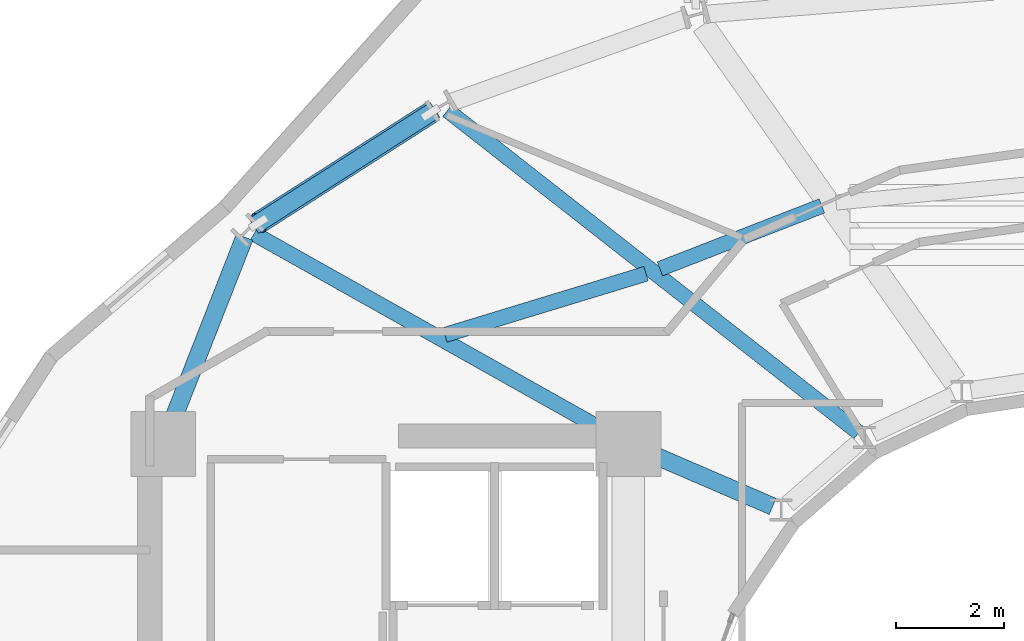
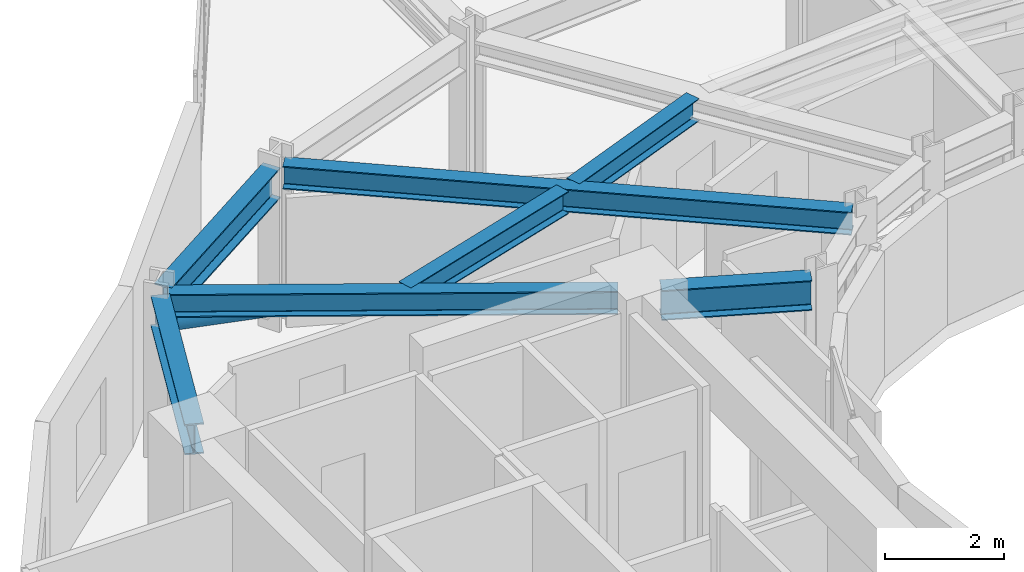
# One storey, part 8 of 24: 7 beams, 1 member.
"""IFC4 building model written with IfcOpenShell, lengths in metres."""

from ifc_helpers import new_model, si_unit, direction, frame, origin, origin_2d, place, context, subcontext, project, spatial, hollow_circle, i_section, extrude, material, material_profile, profile_set, type_object, element, save


model = new_model("IFC4")

# Units and contexts
model_context = context("Model", 3, precision=1e-05, world=origin(), true_north=direction((0.0, 1.0)))
body_context = subcontext(model_context, "Body", "Model", "MODEL_VIEW")
ifc_project = project(units=[si_unit("LENGTHUNIT", "METRE"), si_unit("AREAUNIT", "SQUARE_METRE"), si_unit("VOLUMEUNIT", "CUBIC_METRE"), si_unit("PLANEANGLEUNIT", "RADIAN"), si_unit("MASSUNIT", "GRAM", prefix="KILO")], contexts=[model_context])

# Site, building, storey
site_placement = place(None, origin())
site = spatial("IfcSite", under=ifc_project, at=site_placement, CompositionType="ELEMENT")
building_placement = place(site_placement, origin())
building = spatial("IfcBuilding", under=site, at=building_placement, Name="Solvane Sanctuary Tower", CompositionType="ELEMENT")
storey_placement = place(building_placement, frame((0.0, 0.0, 253.199951171875)))
storey = spatial("IfcBuildingStorey", under=building, at=storey_placement, Name="L77", CompositionType="ELEMENT", Elevation=253.199951171875)

# Beams
ifc_material = material(Name="Steel ASTM A992 Grade 50", Category="steel")
ifc_material_profile_1 = material_profile(ifc_material, i_section(OverallWidth=0.282958984375, OverallDepth=0.471923828125, WebThickness=0.013671875, FlangeThickness=0.022216796875, FilletRadius=0.013916015625, at=origin_2d()), Name="W18X97")
ifc_profile_set_1 = profile_set([ifc_material_profile_1], Name="Steel ASTM A992 Grade 50")
beam_type_1 = type_object("IfcBeamType", Name="Beam B-RAD-Z4 W18X97", PredefinedType="JOIST", material=ifc_profile_set_1)
beam_1_placement = place(storey_placement, frame((28.159912109375, 30.412841796875, 3.08203125), z_axis=(-0.787179592087, 0.616723835927, 0.0), x_axis=(-0.616723835927, -0.787179592087, 0.0)))
element("IfcBeam", 1, at=beam_1_placement, inside=storey, type_object=beam_type_1, Name="L77 Radial Composite Floor Beam 06", PredefinedType="JOIST", context=body_context, shape_type="SweptSolid", body=[
    extrude(i_section(OverallWidth=0.282958984375, OverallDepth=0.471923828125, WebThickness=0.013671875, FlangeThickness=0.022216796875, FilletRadius=0.013916015625, at=origin_2d()), origin(), (0.0, 0.0, 1.0), 9.66064453125),
])
beam_2_placement = place(storey_placement, frame((23.586181640625, 30.37646484375, 3.08203125), z_axis=(-0.87176037811, 0.489932488367, 0.0), x_axis=(-0.489932488367, -0.87176037811, 0.0)))
element("IfcBeam", 2, at=beam_2_placement, inside=storey, type_object=beam_type_1, Name="L77 Radial Composite Floor Beam 07", PredefinedType="JOIST", context=body_context, shape_type="SweptSolid", body=[
    extrude(i_section(OverallWidth=0.282958984375, OverallDepth=0.471923828125, WebThickness=0.013671875, FlangeThickness=0.022216796875, FilletRadius=0.013916015625, at=origin_2d()), origin(), (0.0, 0.0, 1.0), 7.581298828125),
])
ifc_material_profile_2 = material_profile(ifc_material, i_section(OverallWidth=0.324951171875, OverallDepth=0.615966796875, WebThickness=0.013916015625, FlangeThickness=0.021484375, FilletRadius=0.01611328125, at=origin_2d()), Name="W24X117")
ifc_profile_set_2 = profile_set([ifc_material_profile_2], Name="Steel ASTM A992 Grade 50")
beam_type_2 = type_object("IfcBeamType", Name="Beam B-RING-IN2 W24X117", PredefinedType="BEAM", material=ifc_profile_set_2)
beam_3_placement = place(storey_placement, frame((24.230712890625, 30.0576171875, 3.010009765625), z_axis=(0.918254967668, -0.395989664453, 0.0), x_axis=(0.395989664453, 0.918254967668, 0.0)))
element("IfcBeam", 3, at=beam_3_placement, inside=storey, type_object=beam_type_2, Name="L77 Inner Light-Well Ring Beam CW3-IC07", PredefinedType="BEAM", context=body_context, shape_type="SweptSolid", body=[
    extrude(i_section(OverallWidth=0.324951171875, OverallDepth=0.615966796875, WebThickness=0.013916015625, FlangeThickness=0.021484375, FilletRadius=0.01611328125, at=origin_2d()), origin(), (0.0, 0.0, 1.0), 2.54638671875),
])
ifc_material_profile_3 = material_profile(ifc_material, i_section(OverallWidth=0.280029296875, OverallDepth=0.462890625, WebThickness=0.0107421875, FlangeThickness=0.017333984375, FilletRadius=0.013916015625, at=origin_2d()), Name="W18X76")
ifc_profile_set_3 = profile_set([ifc_material_profile_3], Name="Steel ASTM A992 Grade 50")
beam_type_3 = type_object("IfcBeamType", Name="Beam B-SEC-JOIST W18X76", PredefinedType="JOIST", material=ifc_profile_set_3)
beam_4_placement = place(storey_placement, frame((20.508056640625, 32.219482421875, 3.086669921875), z_axis=(0.95661833979, 0.291344044005, 0.0), x_axis=(-0.291344044005, 0.95661833979, 0.0)))
element("IfcBeam", 4, at=beam_4_placement, inside=storey, type_object=beam_type_3, Name="L77 Secondary Circumferential Joist 07-06", PredefinedType="JOIST", context=body_context, shape_type="SweptSolid", body=[
    extrude(i_section(OverallWidth=0.280029296875, OverallDepth=0.462890625, WebThickness=0.0107421875, FlangeThickness=0.017333984375, FilletRadius=0.013916015625, at=origin_2d()), origin(), (0.0, 0.0, 1.0), 3.887451171875),
])
beam_5_placement = place(storey_placement, frame((24.484619140625, 33.44140625, 3.086669921875), z_axis=(0.93205885038, 0.362306913306, 0.0), x_axis=(-0.362306913306, 0.93205885038, 0.0)))
element("IfcBeam", 5, at=beam_5_placement, inside=storey, type_object=beam_type_3, Name="L77 Secondary Circumferential Joist 06-05", PredefinedType="JOIST", context=body_context, shape_type="SweptSolid", body=[
    extrude(i_section(OverallWidth=0.280029296875, OverallDepth=0.462890625, WebThickness=0.0107421875, FlangeThickness=0.017333984375, FilletRadius=0.013916015625, at=origin_2d()), origin(), (0.0, 0.0, 1.0), 3.212890625),
])
ifc_material_profile_4 = material_profile(ifc_material, i_section(OverallWidth=0.327880859375, OverallDepth=0.6279296875, WebThickness=0.0166015625, FlangeThickness=0.027587890625, FilletRadius=0.01611328125, at=origin_2d()), Name="W24X146")
ifc_profile_set_4 = profile_set([ifc_material_profile_4], Name="Steel ASTM A992 Grade 50")
beam_type_4 = type_object("IfcBeamType", Name="Beam B-SPAND-Z3 W24X146", PredefinedType="SPANDREL", material=ifc_profile_set_4)
beam_6_placement = place(storey_placement, frame((15.40234375, 30.460693359375, 3.004150390625), z_axis=(0.365597204344, 0.930773164727, 0.0), x_axis=(-0.930773164727, 0.365597204344, 0.0)))
element("IfcBeam", 6, at=beam_6_placement, inside=storey, type_object=beam_type_4, Name="L77 Perimeter Spandrel Beam CW4-TC07", PredefinedType="SPANDREL", context=body_context, shape_type="SweptSolid", body=[
    extrude(i_section(OverallWidth=0.327880859375, OverallDepth=0.6279296875, WebThickness=0.0166015625, FlangeThickness=0.027587890625, FilletRadius=0.01611328125, at=origin_2d()), origin(), (0.0, 0.0, 1.0), 3.833740234375),
])
beam_7_placement = place(storey_placement, frame((16.972900390625, 34.23486328125, 3.004150390625), z_axis=(0.842252471835, 0.539083271571, 0.0), x_axis=(-0.539083271571, 0.842252471835, 0.0)))
element("IfcBeam", 7, at=beam_7_placement, inside=storey, type_object=beam_type_4, Name="L77 Perimeter Spandrel Beam TC07-TC06", PredefinedType="SPANDREL", context=body_context, shape_type="SweptSolid", body=[
    extrude(i_section(OverallWidth=0.327880859375, OverallDepth=0.6279296875, WebThickness=0.0166015625, FlangeThickness=0.027587890625, FilletRadius=0.01611328125, at=origin_2d()), origin(), (0.0, 0.0, 1.0), 3.982177734375),
])

# Member
ifc_material_profile_5 = material_profile(ifc_material, hollow_circle(Radius=0.202880859375, WallThickness=0.012451171875, at=origin_2d()), Name="CHS406X12.5")
ifc_profile_set_5 = profile_set([ifc_material_profile_5], Name="Steel ASTM A992 Grade 50")
member_type = type_object("IfcMemberType", Name="Member M-TUBE-Z3 CHS406X12.5", PredefinedType="BRACE", material=ifc_profile_set_5)
member_placement = place(storey_placement, frame((20.241455078125, 36.326904296875, 0.510986328125), z_axis=(-0.740496381553, -0.473965461824, 0.476468099567), x_axis=(0.539092247698, -0.842246726602, 0.0)))
element("IfcMember", 8, at=member_placement, inside=storey, type_object=member_type, Name="L77 Perimeter Braced-Tube Diagonal NW", PredefinedType="BRACE", context=body_context, shape_type="SweptSolid", body=[
    extrude(hollow_circle(Radius=0.202880859375, WallThickness=0.012451171875, at=origin_2d()), origin(), (0.0, 0.0, 1.0), 4.292236328125),
])

save(model, "model.ifc")
